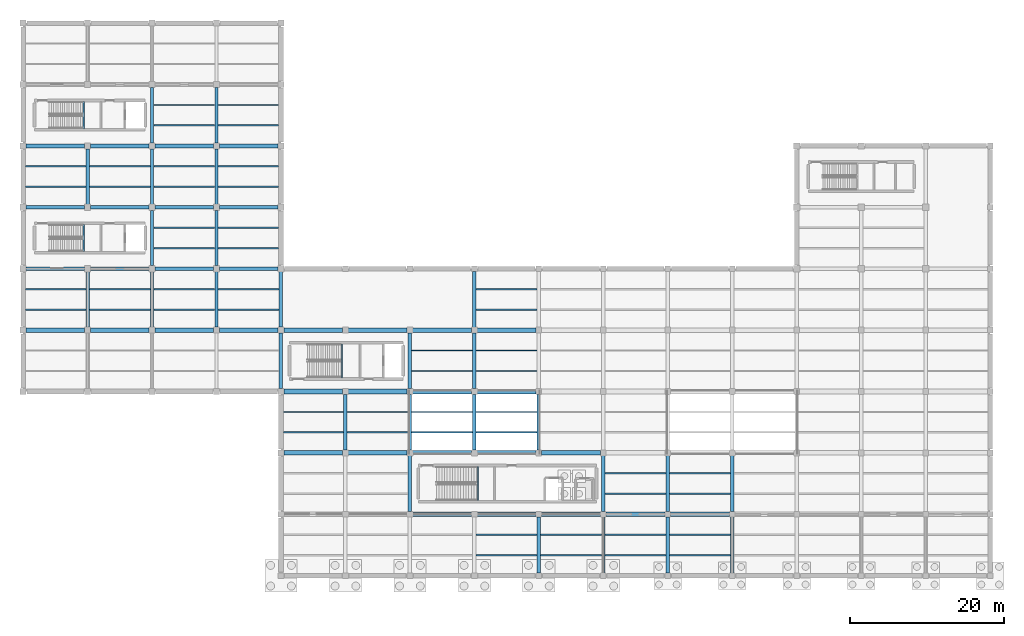
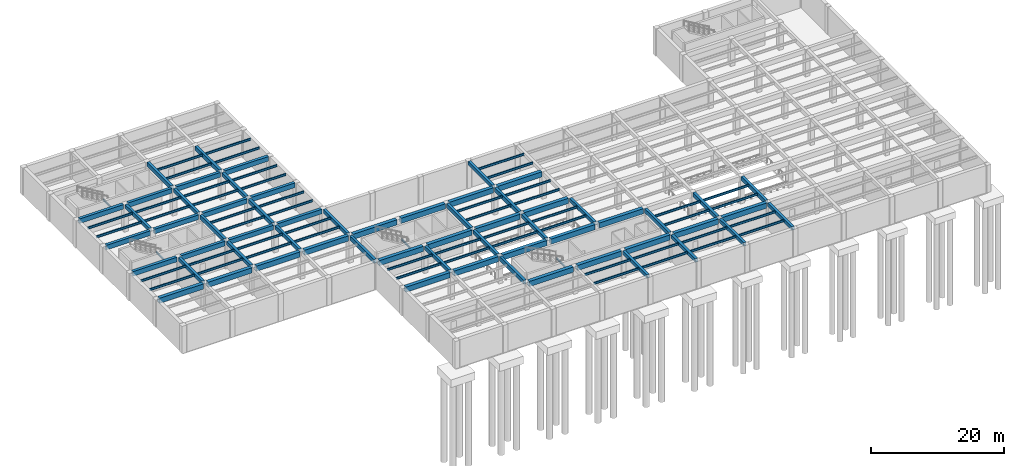
# One storey, part 2 of 16: 115 beams.
"""IFC4 building model written with IfcOpenShell, lengths in metres."""

from ifc_helpers import new_model, si_unit, direction, frame, origin, origin_2d, place, context, subcontext, project, spatial, rectangle, i_section, extrude, material, material_profile, profile_set, type_object, element, save


model = new_model("IFC4")

# Units and contexts
model_context = context("Model", 3, precision=1e-05, world=origin(), true_north=direction((0.0, 1.0)))
body_context = subcontext(model_context, "Body", "Model", "MODEL_VIEW")
ifc_project = project(units=[si_unit("LENGTHUNIT", "METRE"), si_unit("AREAUNIT", "SQUARE_METRE"), si_unit("VOLUMEUNIT", "CUBIC_METRE"), si_unit("PLANEANGLEUNIT", "RADIAN"), si_unit("MASSUNIT", "GRAM", prefix="KILO")], contexts=[model_context])

# Site, building, storey
site_placement = place(None, origin())
site = spatial("IfcSite", under=ifc_project, at=site_placement, CompositionType="ELEMENT")
building_placement = place(site_placement, origin())
building = spatial("IfcBuilding", under=site, at=building_placement, Name="Kranzveld Transit Interchange", CompositionType="ELEMENT")
storey_placement = place(building_placement, frame((0.0, 0.0, -5.43994140625)))
storey = spatial("IfcBuildingStorey", under=building, at=storey_placement, Name="B1", CompositionType="ELEMENT", Elevation=-5.43994140625)

# Beams
ifc_material_1 = material(Name="Concrete C35/45", Category="concrete")
ifc_material_profile_1 = material_profile(ifc_material_1, rectangle(XDim=0.449951171875, YDim=0.64990234375, at=origin_2d()), Name="RC 450x650")
ifc_profile_set_1 = profile_set([ifc_material_profile_1], Name="Concrete C35/45")
beam_type_1 = type_object("IfcBeamType", Name="Beam RC 450x650 C35/45", PredefinedType="BEAM", material=ifc_profile_set_1)
for number, where, z_axis, x_axis, name in (
    (1, (8.39990234375, 56.389892578125, 4.69482421875), (0.0, 1.0, 0.0), (-1.0, 0.0, 0.0), "B1 Girder 02/H-J"),
    (2, (8.39990234375, 72.389892578125, 4.69482421875), (0.0, 1.0, 0.0), (-1.0, 0.0, 0.0), "B1 Girder 02/K-L"),
    (3, (16.800048828125, 56.389892578125, 4.69482421875), (0.0, 1.0, 0.0), (-1.0, 0.0, 0.0), "B1 Girder 03/H-J"),
    (4, (16.800048828125, 72.389892578125, 4.69482421875), (0.0, 1.0, 0.0), (-1.0, 0.0, 0.0), "B1 Girder 03/K-L"),
    (5, (25.199951171875, 56.389892578125, 4.69482421875), (0.0, 1.0, 0.0), (-1.0, 0.0, 0.0), "B1 Girder 04/H-J"),
    (6, (25.199951171875, 72.389892578125, 4.69482421875), (0.0, 1.0, 0.0), (-1.0, 0.0, 0.0), "B1 Girder 04/K-L"),
    (7, (33.60009765625, 56.389892578125, 4.69482421875), (0.0, 1.0, 0.0), (-1.0, 0.0, 0.0), "B1 Girder 05/H-J"),
):
    element("IfcBeam", number, at=place(storey_placement, frame(where, z_axis=z_axis, x_axis=x_axis)), inside=storey, type_object=beam_type_1, Name=name, PredefinedType="BEAM", context=body_context, shape_type="SweptSolid", body=[
        extrude(rectangle(XDim=0.449951171875, YDim=0.64990234375, at=origin_2d()), origin(), (0.0, 0.0, 1.0), 7.22021484375),
    ])
for number, where, z_axis, x_axis, name in (
    (8, (42.0, 40.364990234375, 4.69482421875), (0.0, 1.0, 0.0), (-1.0, 0.0, 0.0), "B1 Girder 06/F-G"),
    (9, (50.39990234375, 40.364990234375, 4.69482421875), (0.0, 1.0, 0.0), (-1.0, 0.0, 0.0), "B1 Girder 07/F-G"),
    (10, (58.800048828125, 40.364990234375, 4.69482421875), (0.0, 1.0, 0.0), (-1.0, 0.0, 0.0), "B1 Girder 08/F-G"),
    (11, (58.800048828125, 56.364990234375, 4.69482421875), (0.0, 1.0, 0.0), (-1.0, 0.0, 0.0), "B1 Girder 08/H-J"),
    (12, (67.199951171875, 24.364990234375, 4.69482421875), (0.0, 1.0, 0.0), (-1.0, 0.0, 0.0), "B1 Girder 09/D-E"),
    (13, (67.199951171875, 40.364990234375, 4.69482421875), (0.0, 1.0, 0.0), (-1.0, 0.0, 0.0), "B1 Girder 09/F-G"),
    (14, (75.60009765625, 24.364990234375, 4.69482421875), (0.0, 1.0, 0.0), (-1.0, 0.0, 0.0), "B1 Girder 10/D-E"),
    (15, (84.0, 24.364990234375, 4.69482421875), (0.0, 1.0, 0.0), (-1.0, 0.0, 0.0), "B1 Girder 11/D-E"),
    (16, (92.39990234375, 24.364990234375, 4.69482421875), (0.0, 1.0, 0.0), (-1.0, 0.0, 0.0), "B1 Girder 12/D-E"),
):
    element("IfcBeam", number, at=place(storey_placement, frame(where, z_axis=z_axis, x_axis=x_axis)), inside=storey, type_object=beam_type_1, Name=name, PredefinedType="BEAM", context=body_context, shape_type="SweptSolid", body=[
        extrude(rectangle(XDim=0.449951171875, YDim=0.64990234375, at=origin_2d()), origin(), (0.0, 0.0, 1.0), 7.27001953125),
    ])
ifc_material_2 = material(Name="Concrete C35/45", Category="concrete")
ifc_material_profile_2 = material_profile(ifc_material_2, rectangle(XDim=0.449951171875, YDim=0.75, at=origin_2d()), Name="RC 450x750")
ifc_profile_set_2 = profile_set([ifc_material_profile_2], Name="Concrete C35/45")
beam_type_2 = type_object("IfcBeamType", Name="Beam RC 450x750 C35/45", PredefinedType="BEAM", material=ifc_profile_set_2)
for number, where, z_axis, x_axis, name in (
    (17, (16.800048828125, 64.389892578125, 4.64501953125), (0.0, 1.0, 0.0), (-1.0, 0.0, 0.0), "B1 Girder 03/J-K"),
    (18, (16.800048828125, 80.389892578125, 4.64501953125), (0.0, 1.0, 0.0), (-1.0, 0.0, 0.0), "B1 Girder 03/L-M"),
    (19, (25.199951171875, 64.389892578125, 4.64501953125), (0.0, 1.0, 0.0), (-1.0, 0.0, 0.0), "B1 Girder 04/J-K"),
    (20, (25.199951171875, 80.389892578125, 4.64501953125), (0.0, 1.0, 0.0), (-1.0, 0.0, 0.0), "B1 Girder 04/L-M"),
    (21, (33.60009765625, 48.389892578125, 4.64501953125), (0.0, 1.0, 0.0), (-1.0, 0.0, 0.0), "B1 Girder 05/G-H"),
):
    element("IfcBeam", number, at=place(storey_placement, frame(where, z_axis=z_axis, x_axis=x_axis)), inside=storey, type_object=beam_type_2, Name=name, PredefinedType="BEAM", context=body_context, shape_type="SweptSolid", body=[
        extrude(rectangle(XDim=0.449951171875, YDim=0.75, at=origin_2d()), origin(), (0.0, 0.0, 1.0), 7.22021484375),
    ])
for number, where, z_axis, x_axis, name in (
    (22, (50.39990234375, 32.364990234375, 4.64501953125), (0.0, 1.0, 0.0), (-1.0, 0.0, 0.0), "B1 Girder 07/E-F"),
    (23, (50.39990234375, 48.364990234375, 4.64501953125), (0.0, 1.0, 0.0), (-1.0, 0.0, 0.0), "B1 Girder 07/G-H"),
    (24, (58.800048828125, 48.364990234375, 4.64501953125), (0.0, 1.0, 0.0), (-1.0, 0.0, 0.0), "B1 Girder 08/G-H"),
    (25, (75.60009765625, 32.364990234375, 4.64501953125), (0.0, 1.0, 0.0), (-1.0, 0.0, 0.0), "B1 Girder 10/E-F"),
    (26, (84.0, 32.364990234375, 4.64501953125), (0.0, 1.0, 0.0), (-1.0, 0.0, 0.0), "B1 Girder 11/E-F"),
    (27, (92.39990234375, 32.364990234375, 4.64501953125), (0.0, 1.0, 0.0), (-1.0, 0.0, 0.0), "B1 Girder 12/E-F"),
):
    element("IfcBeam", number, at=place(storey_placement, frame(where, z_axis=z_axis, x_axis=x_axis)), inside=storey, type_object=beam_type_2, Name=name, PredefinedType="BEAM", context=body_context, shape_type="SweptSolid", body=[
        extrude(rectangle(XDim=0.449951171875, YDim=0.75, at=origin_2d()), origin(), (0.0, 0.0, 1.0), 7.27001953125),
    ])
ifc_material_3 = material(Name="Steel S355JR", Category="steel")
ifc_material_profile_3 = material_profile(ifc_material_3, i_section(OverallWidth=0.177978515625, OverallDepth=0.406494140625, WebThickness=0.0078125, FlangeThickness=0.0126953125, FilletRadius=0.01025390625, at=origin_2d()), Name="UB 406x178x60")
ifc_profile_set_3 = profile_set([ifc_material_profile_3], Name="Steel S355JR")
beam_type_3 = type_object("IfcBeamType", Name="Floor Joist UB 406x178x60 S355JR", PredefinedType="JOIST", material=ifc_profile_set_3)
for number, where, z_axis, x_axis, name in (
    (28, (0.302001953125, 58.666748046875, 4.816650390625), (1.0, 0.0, 0.0), (0.0, 1.0, 0.0), "B1 Secondary Joist 01-02/H.1"),
    (29, (0.302001953125, 61.333251953125, 4.816650390625), (1.0, 0.0, 0.0), (0.0, 1.0, 0.0), "B1 Secondary Joist 01-02/H.2"),
    (30, (0.302001953125, 74.666748046875, 4.816650390625), (1.0, 0.0, 0.0), (0.0, 1.0, 0.0), "B1 Secondary Joist 01-02/K.1"),
    (31, (0.302001953125, 77.333251953125, 4.816650390625), (1.0, 0.0, 0.0), (0.0, 1.0, 0.0), "B1 Secondary Joist 01-02/K.2"),
):
    element("IfcBeam", number, at=place(storey_placement, frame(where, z_axis=z_axis, x_axis=x_axis)), inside=storey, type_object=beam_type_3, Name=name, PredefinedType="JOIST", context=body_context, shape_type="SweptSolid", body=[
        extrude(i_section(OverallWidth=0.177978515625, OverallDepth=0.406494140625, WebThickness=0.0078125, FlangeThickness=0.0126953125, FilletRadius=0.01025390625, at=origin_2d()), origin(), (0.0, 0.0, 1.0), 7.87109375),
    ])
for number, where, z_axis, x_axis, name in (
    (32, (8.626953125, 58.666748046875, 4.816650390625), (1.0, 0.0, 0.0), (0.0, 1.0, 0.0), "B1 Secondary Joist 02-03/H.1"),
    (33, (8.626953125, 61.333251953125, 4.816650390625), (1.0, 0.0, 0.0), (0.0, 1.0, 0.0), "B1 Secondary Joist 02-03/H.2"),
    (34, (8.626953125, 74.666748046875, 4.816650390625), (1.0, 0.0, 0.0), (0.0, 1.0, 0.0), "B1 Secondary Joist 02-03/K.1"),
    (35, (8.626953125, 77.333251953125, 4.816650390625), (1.0, 0.0, 0.0), (0.0, 1.0, 0.0), "B1 Secondary Joist 02-03/K.2"),
):
    element("IfcBeam", number, at=place(storey_placement, frame(where, z_axis=z_axis, x_axis=x_axis)), inside=storey, type_object=beam_type_3, Name=name, PredefinedType="JOIST", context=body_context, shape_type="SweptSolid", body=[
        extrude(i_section(OverallWidth=0.177978515625, OverallDepth=0.406494140625, WebThickness=0.0078125, FlangeThickness=0.0126953125, FilletRadius=0.01025390625, at=origin_2d()), origin(), (0.0, 0.0, 1.0), 7.946044921875),
    ])
for number, where, z_axis, x_axis, name in (
    (36, (17.027099609375, 58.666748046875, 4.816650390625), (1.0, 0.0, 0.0), (0.0, 1.0, 0.0), "B1 Secondary Joist 03-04/H.1"),
    (37, (17.027099609375, 61.333251953125, 4.816650390625), (1.0, 0.0, 0.0), (0.0, 1.0, 0.0), "B1 Secondary Joist 03-04/H.2"),
    (38, (17.027099609375, 66.666748046875, 4.816650390625), (1.0, 0.0, 0.0), (0.0, 1.0, 0.0), "B1 Secondary Joist 03-04/J.1"),
    (39, (17.027099609375, 69.333251953125, 4.816650390625), (1.0, 0.0, 0.0), (0.0, 1.0, 0.0), "B1 Secondary Joist 03-04/J.2"),
    (40, (17.027099609375, 74.666748046875, 4.816650390625), (1.0, 0.0, 0.0), (0.0, 1.0, 0.0), "B1 Secondary Joist 03-04/K.1"),
    (41, (17.027099609375, 77.333251953125, 4.816650390625), (1.0, 0.0, 0.0), (0.0, 1.0, 0.0), "B1 Secondary Joist 03-04/K.2"),
    (42, (17.027099609375, 82.666748046875, 4.816650390625), (1.0, 0.0, 0.0), (0.0, 1.0, 0.0), "B1 Secondary Joist 03-04/L.1"),
    (43, (17.027099609375, 85.333251953125, 4.816650390625), (1.0, 0.0, 0.0), (0.0, 1.0, 0.0), "B1 Secondary Joist 03-04/L.2"),
):
    element("IfcBeam", number, at=place(storey_placement, frame(where, z_axis=z_axis, x_axis=x_axis)), inside=storey, type_object=beam_type_3, Name=name, PredefinedType="JOIST", context=body_context, shape_type="SweptSolid", body=[
        extrude(i_section(OverallWidth=0.177978515625, OverallDepth=0.406494140625, WebThickness=0.0078125, FlangeThickness=0.0126953125, FilletRadius=0.01025390625, at=origin_2d()), origin(), (0.0, 0.0, 1.0), 7.94580078125),
    ])
for number, where, z_axis, x_axis, name in (
    (44, (25.427001953125, 58.666748046875, 4.816650390625), (1.0, 0.0, 0.0), (0.0, 1.0, 0.0), "B1 Secondary Joist 04-05/H.1"),
    (45, (25.427001953125, 61.333251953125, 4.816650390625), (1.0, 0.0, 0.0), (0.0, 1.0, 0.0), "B1 Secondary Joist 04-05/H.2"),
):
    element("IfcBeam", number, at=place(storey_placement, frame(where, z_axis=z_axis, x_axis=x_axis)), inside=storey, type_object=beam_type_3, Name=name, PredefinedType="JOIST", context=body_context, shape_type="SweptSolid", body=[
        extrude(i_section(OverallWidth=0.177978515625, OverallDepth=0.406494140625, WebThickness=0.0078125, FlangeThickness=0.0126953125, FilletRadius=0.01025390625, at=origin_2d()), origin(), (0.0, 0.0, 1.0), 7.946044921875),
    ])
for number, where, z_axis, x_axis, name in (
    (46, (25.427001953125, 66.666748046875, 4.816650390625), (1.0, 0.0, 0.0), (0.0, 1.0, 0.0), "B1 Secondary Joist 04-05/J.1"),
    (47, (25.427001953125, 69.333251953125, 4.816650390625), (1.0, 0.0, 0.0), (0.0, 1.0, 0.0), "B1 Secondary Joist 04-05/J.2"),
    (48, (25.427001953125, 74.666748046875, 4.816650390625), (1.0, 0.0, 0.0), (0.0, 1.0, 0.0), "B1 Secondary Joist 04-05/K.1"),
    (49, (25.427001953125, 77.333251953125, 4.816650390625), (1.0, 0.0, 0.0), (0.0, 1.0, 0.0), "B1 Secondary Joist 04-05/K.2"),
    (50, (25.427001953125, 82.666748046875, 4.816650390625), (1.0, 0.0, 0.0), (0.0, 1.0, 0.0), "B1 Secondary Joist 04-05/L.1"),
    (51, (25.427001953125, 85.333251953125, 4.816650390625), (1.0, 0.0, 0.0), (0.0, 1.0, 0.0), "B1 Secondary Joist 04-05/L.2"),
):
    element("IfcBeam", number, at=place(storey_placement, frame(where, z_axis=z_axis, x_axis=x_axis)), inside=storey, type_object=beam_type_3, Name=name, PredefinedType="JOIST", context=body_context, shape_type="SweptSolid", body=[
        extrude(i_section(OverallWidth=0.177978515625, OverallDepth=0.406494140625, WebThickness=0.0078125, FlangeThickness=0.0126953125, FilletRadius=0.01025390625, at=origin_2d()), origin(), (0.0, 0.0, 1.0), 7.87109375),
    ])
for number, where, z_axis, x_axis, name in (
    (52, (33.902099609375, 42.666748046875, 4.816650390625), (1.0, 0.0, 0.0), (0.0, 1.0, 0.0), "B1 Secondary Joist 05-06/F.1"),
    (53, (33.902099609375, 45.333251953125, 4.816650390625), (1.0, 0.0, 0.0), (0.0, 1.0, 0.0), "B1 Secondary Joist 05-06/F.2"),
):
    element("IfcBeam", number, at=place(storey_placement, frame(where, z_axis=z_axis, x_axis=x_axis)), inside=storey, type_object=beam_type_3, Name=name, PredefinedType="JOIST", context=body_context, shape_type="SweptSolid", body=[
        extrude(i_section(OverallWidth=0.177978515625, OverallDepth=0.406494140625, WebThickness=0.0078125, FlangeThickness=0.0126953125, FilletRadius=0.01025390625, at=origin_2d()), origin(), (0.0, 0.0, 1.0), 7.870849609375),
    ])
for number, where, z_axis, x_axis, name in (
    (54, (42.22705078125, 42.666748046875, 4.816650390625), (1.0, 0.0, 0.0), (0.0, 1.0, 0.0), "B1 Secondary Joist 06-07/F.1"),
    (55, (42.22705078125, 45.333251953125, 4.816650390625), (1.0, 0.0, 0.0), (0.0, 1.0, 0.0), "B1 Secondary Joist 06-07/F.2"),
    (56, (50.626953125, 42.666748046875, 4.816650390625), (1.0, 0.0, 0.0), (0.0, 1.0, 0.0), "B1 Secondary Joist 07-08/F.1"),
    (57, (50.626953125, 45.333251953125, 4.816650390625), (1.0, 0.0, 0.0), (0.0, 1.0, 0.0), "B1 Secondary Joist 07-08/F.2"),
    (58, (50.626953125, 50.666748046875, 4.816650390625), (1.0, 0.0, 0.0), (0.0, 1.0, 0.0), "B1 Secondary Joist 07-08/G.1"),
    (59, (50.626953125, 53.333251953125, 4.816650390625), (1.0, 0.0, 0.0), (0.0, 1.0, 0.0), "B1 Secondary Joist 07-08/G.2"),
):
    element("IfcBeam", number, at=place(storey_placement, frame(where, z_axis=z_axis, x_axis=x_axis)), inside=storey, type_object=beam_type_3, Name=name, PredefinedType="JOIST", context=body_context, shape_type="SweptSolid", body=[
        extrude(i_section(OverallWidth=0.177978515625, OverallDepth=0.406494140625, WebThickness=0.0078125, FlangeThickness=0.0126953125, FilletRadius=0.01025390625, at=origin_2d()), origin(), (0.0, 0.0, 1.0), 7.946044921875),
    ])
for number, where, z_axis, x_axis, name in (
    (60, (59.027099609375, 26.666748046875, 4.816650390625), (1.0, 0.0, 0.0), (0.0, 1.0, 0.0), "B1 Secondary Joist 08-09/D.1"),
    (61, (59.027099609375, 29.333251953125, 4.816650390625), (1.0, 0.0, 0.0), (0.0, 1.0, 0.0), "B1 Secondary Joist 08-09/D.2"),
    (62, (59.027099609375, 42.666748046875, 4.816650390625), (1.0, 0.0, 0.0), (0.0, 1.0, 0.0), "B1 Secondary Joist 08-09/F.1"),
    (63, (59.027099609375, 45.333251953125, 4.816650390625), (1.0, 0.0, 0.0), (0.0, 1.0, 0.0), "B1 Secondary Joist 08-09/F.2"),
    (64, (59.027099609375, 50.666748046875, 4.816650390625), (1.0, 0.0, 0.0), (0.0, 1.0, 0.0), "B1 Secondary Joist 08-09/G.1"),
    (65, (59.027099609375, 53.333251953125, 4.816650390625), (1.0, 0.0, 0.0), (0.0, 1.0, 0.0), "B1 Secondary Joist 08-09/G.2"),
    (66, (59.027099609375, 58.666748046875, 4.816650390625), (1.0, 0.0, 0.0), (0.0, 1.0, 0.0), "B1 Secondary Joist 08-09/H.1"),
    (67, (59.027099609375, 61.333251953125, 4.816650390625), (1.0, 0.0, 0.0), (0.0, 1.0, 0.0), "B1 Secondary Joist 08-09/H.2"),
):
    element("IfcBeam", number, at=place(storey_placement, frame(where, z_axis=z_axis, x_axis=x_axis)), inside=storey, type_object=beam_type_3, Name=name, PredefinedType="JOIST", context=body_context, shape_type="SweptSolid", body=[
        extrude(i_section(OverallWidth=0.177978515625, OverallDepth=0.406494140625, WebThickness=0.0078125, FlangeThickness=0.0126953125, FilletRadius=0.01025390625, at=origin_2d()), origin(), (0.0, 0.0, 1.0), 7.94580078125),
    ])
for number, where, z_axis, x_axis, name in (
    (68, (67.427001953125, 26.666748046875, 4.816650390625), (1.0, 0.0, 0.0), (0.0, 1.0, 0.0), "B1 Secondary Joist 09-10/D.1"),
    (69, (67.427001953125, 29.333251953125, 4.816650390625), (1.0, 0.0, 0.0), (0.0, 1.0, 0.0), "B1 Secondary Joist 09-10/D.2"),
    (70, (75.826904296875, 26.666748046875, 4.816650390625), (1.0, 0.0, 0.0), (0.0, 1.0, 0.0), "B1 Secondary Joist 10-11/D.1"),
    (71, (75.826904296875, 29.333251953125, 4.816650390625), (1.0, 0.0, 0.0), (0.0, 1.0, 0.0), "B1 Secondary Joist 10-11/D.2"),
    (72, (75.826904296875, 34.666748046875, 4.816650390625), (1.0, 0.0, 0.0), (0.0, 1.0, 0.0), "B1 Secondary Joist 10-11/E.1"),
    (73, (75.826904296875, 37.333251953125, 4.816650390625), (1.0, 0.0, 0.0), (0.0, 1.0, 0.0), "B1 Secondary Joist 10-11/E.2"),
    (74, (84.22705078125, 26.666748046875, 4.816650390625), (1.0, 0.0, 0.0), (0.0, 1.0, 0.0), "B1 Secondary Joist 11-12/D.1"),
    (75, (84.22705078125, 29.333251953125, 4.816650390625), (1.0, 0.0, 0.0), (0.0, 1.0, 0.0), "B1 Secondary Joist 11-12/D.2"),
    (76, (84.22705078125, 34.666748046875, 4.816650390625), (1.0, 0.0, 0.0), (0.0, 1.0, 0.0), "B1 Secondary Joist 11-12/E.1"),
    (77, (84.22705078125, 37.333251953125, 4.816650390625), (1.0, 0.0, 0.0), (0.0, 1.0, 0.0), "B1 Secondary Joist 11-12/E.2"),
):
    element("IfcBeam", number, at=place(storey_placement, frame(where, z_axis=z_axis, x_axis=x_axis)), inside=storey, type_object=beam_type_3, Name=name, PredefinedType="JOIST", context=body_context, shape_type="SweptSolid", body=[
        extrude(i_section(OverallWidth=0.177978515625, OverallDepth=0.406494140625, WebThickness=0.0078125, FlangeThickness=0.0126953125, FilletRadius=0.01025390625, at=origin_2d()), origin(), (0.0, 0.0, 1.0), 7.946044921875),
    ])
ifc_material_4 = material(Name="Concrete C40/50", Category="concrete")
ifc_material_profile_4 = material_profile(ifc_material_4, rectangle(XDim=0.5, YDim=0.85009765625, at=origin_2d()), Name="RC 500x850")
ifc_profile_set_4 = profile_set([ifc_material_profile_4], Name="Concrete C40/50")
beam_type_4 = type_object("IfcBeamType", Name="Girder RC 500x850 C40/50", PredefinedType="BEAM", material=ifc_profile_set_4)
beam_1_placement = place(storey_placement, frame((0.389892578125, 64.0, 4.594970703125), z_axis=(1.0, 0.0, 0.0), x_axis=(0.0, 1.0, 0.0)))
element("IfcBeam", 78, at=beam_1_placement, inside=storey, type_object=beam_type_4, Name="B1 Girder 01-02/J", PredefinedType="BEAM", context=body_context, shape_type="SweptSolid", body=[
    extrude(rectangle(XDim=0.5, YDim=0.85009765625, at=origin_2d()), origin(), (0.0, 0.0, 1.0), 7.6201171875),
])
beam_2_placement = place(storey_placement, frame((8.7900390625, 64.0, 4.594970703125), z_axis=(1.0, 0.0, 0.0), x_axis=(0.0, 1.0, 0.0)))
element("IfcBeam", 79, at=beam_2_placement, inside=storey, type_object=beam_type_4, Name="B1 Girder 02-03/J", PredefinedType="BEAM", context=body_context, shape_type="SweptSolid", body=[
    extrude(rectangle(XDim=0.5, YDim=0.85009765625, at=origin_2d()), origin(), (0.0, 0.0, 1.0), 7.619873046875),
])
beam_3_placement = place(storey_placement, frame((17.18994140625, 64.0, 4.594970703125), z_axis=(1.0, 0.0, 0.0), x_axis=(0.0, 1.0, 0.0)))
element("IfcBeam", 80, at=beam_3_placement, inside=storey, type_object=beam_type_4, Name="B1 Girder 03-04/J", PredefinedType="BEAM", context=body_context, shape_type="SweptSolid", body=[
    extrude(rectangle(XDim=0.5, YDim=0.85009765625, at=origin_2d()), origin(), (0.0, 0.0, 1.0), 7.6201171875),
])
beam_4_placement = place(storey_placement, frame((25.590087890625, 64.0, 4.594970703125), z_axis=(1.0, 0.0, 0.0), x_axis=(0.0, 1.0, 0.0)))
element("IfcBeam", 81, at=beam_4_placement, inside=storey, type_object=beam_type_4, Name="B1 Girder 04-05/J", PredefinedType="BEAM", context=body_context, shape_type="SweptSolid", body=[
    extrude(rectangle(XDim=0.5, YDim=0.85009765625, at=origin_2d()), origin(), (0.0, 0.0, 1.0), 7.619873046875),
])
beam_5_placement = place(storey_placement, frame((0.389892578125, 72.0, 4.594970703125), z_axis=(1.0, 0.0, 0.0), x_axis=(0.0, 1.0, 0.0)))
element("IfcBeam", 82, at=beam_5_placement, inside=storey, type_object=beam_type_4, Name="B1 Girder 01-02/K", PredefinedType="BEAM", context=body_context, shape_type="SweptSolid", body=[
    extrude(rectangle(XDim=0.5, YDim=0.85009765625, at=origin_2d()), origin(), (0.0, 0.0, 1.0), 7.6201171875),
])
beam_6_placement = place(storey_placement, frame((8.7900390625, 72.0, 4.594970703125), z_axis=(1.0, 0.0, 0.0), x_axis=(0.0, 1.0, 0.0)))
element("IfcBeam", 83, at=beam_6_placement, inside=storey, type_object=beam_type_4, Name="B1 Girder 02-03/K", PredefinedType="BEAM", context=body_context, shape_type="SweptSolid", body=[
    extrude(rectangle(XDim=0.5, YDim=0.85009765625, at=origin_2d()), origin(), (0.0, 0.0, 1.0), 7.619873046875),
])
beam_7_placement = place(storey_placement, frame((17.18994140625, 72.0, 4.594970703125), z_axis=(1.0, 0.0, 0.0), x_axis=(0.0, 1.0, 0.0)))
element("IfcBeam", 84, at=beam_7_placement, inside=storey, type_object=beam_type_4, Name="B1 Girder 03-04/K", PredefinedType="BEAM", context=body_context, shape_type="SweptSolid", body=[
    extrude(rectangle(XDim=0.5, YDim=0.85009765625, at=origin_2d()), origin(), (0.0, 0.0, 1.0), 7.6201171875),
])
beam_8_placement = place(storey_placement, frame((25.590087890625, 72.0, 4.594970703125), z_axis=(1.0, 0.0, 0.0), x_axis=(0.0, 1.0, 0.0)))
element("IfcBeam", 85, at=beam_8_placement, inside=storey, type_object=beam_type_4, Name="B1 Girder 04-05/K", PredefinedType="BEAM", context=body_context, shape_type="SweptSolid", body=[
    extrude(rectangle(XDim=0.5, YDim=0.85009765625, at=origin_2d()), origin(), (0.0, 0.0, 1.0), 7.619873046875),
])
beam_9_placement = place(storey_placement, frame((0.389892578125, 80.0, 4.594970703125), z_axis=(1.0, 0.0, 0.0), x_axis=(0.0, 1.0, 0.0)))
element("IfcBeam", 86, at=beam_9_placement, inside=storey, type_object=beam_type_4, Name="B1 Girder 01-02/L", PredefinedType="BEAM", context=body_context, shape_type="SweptSolid", body=[
    extrude(rectangle(XDim=0.5, YDim=0.85009765625, at=origin_2d()), origin(), (0.0, 0.0, 1.0), 7.6201171875),
])
beam_10_placement = place(storey_placement, frame((8.7900390625, 80.0, 4.594970703125), z_axis=(1.0, 0.0, 0.0), x_axis=(0.0, 1.0, 0.0)))
element("IfcBeam", 87, at=beam_10_placement, inside=storey, type_object=beam_type_4, Name="B1 Girder 02-03/L", PredefinedType="BEAM", context=body_context, shape_type="SweptSolid", body=[
    extrude(rectangle(XDim=0.5, YDim=0.85009765625, at=origin_2d()), origin(), (0.0, 0.0, 1.0), 7.619873046875),
])
beam_11_placement = place(storey_placement, frame((17.18994140625, 80.0, 4.594970703125), z_axis=(1.0, 0.0, 0.0), x_axis=(0.0, 1.0, 0.0)))
element("IfcBeam", 88, at=beam_11_placement, inside=storey, type_object=beam_type_4, Name="B1 Girder 03-04/L", PredefinedType="BEAM", context=body_context, shape_type="SweptSolid", body=[
    extrude(rectangle(XDim=0.5, YDim=0.85009765625, at=origin_2d()), origin(), (0.0, 0.0, 1.0), 7.6201171875),
])
beam_12_placement = place(storey_placement, frame((25.590087890625, 80.0, 4.594970703125), z_axis=(1.0, 0.0, 0.0), x_axis=(0.0, 1.0, 0.0)))
element("IfcBeam", 89, at=beam_12_placement, inside=storey, type_object=beam_type_4, Name="B1 Girder 04-05/L", PredefinedType="BEAM", context=body_context, shape_type="SweptSolid", body=[
    extrude(rectangle(XDim=0.5, YDim=0.85009765625, at=origin_2d()), origin(), (0.0, 0.0, 1.0), 7.619873046875),
])
ifc_material_5 = material(Name="Concrete C40/50", Category="concrete")
ifc_material_profile_5 = material_profile(ifc_material_5, rectangle(XDim=0.60009765625, YDim=0.949951171875, at=origin_2d()), Name="RC 600x950")
ifc_profile_set_5 = profile_set([ifc_material_profile_5], Name="Concrete C40/50")
beam_type_5 = type_object("IfcBeamType", Name="Girder RC 600x950 C40/50", PredefinedType="BEAM", material=ifc_profile_set_5)
beam_13_placement = place(storey_placement, frame((50.764892578125, 32.0, 4.544921875), z_axis=(1.0, 0.0, 0.0), x_axis=(0.0, 1.0, 0.0)))
element("IfcBeam", 90, at=beam_13_placement, inside=storey, type_object=beam_type_5, Name="B1 Girder 07-08/E", PredefinedType="BEAM", context=body_context, shape_type="SweptSolid", body=[
    extrude(rectangle(XDim=0.60009765625, YDim=0.949951171875, at=origin_2d()), origin(), (0.0, 0.0, 1.0), 7.670166015625),
])
beam_14_placement = place(storey_placement, frame((59.1650390625, 32.0, 4.544921875), z_axis=(1.0, 0.0, 0.0), x_axis=(0.0, 1.0, 0.0)))
element("IfcBeam", 91, at=beam_14_placement, inside=storey, type_object=beam_type_5, Name="B1 Girder 08-09/E", PredefinedType="BEAM", context=body_context, shape_type="SweptSolid", body=[
    extrude(rectangle(XDim=0.60009765625, YDim=0.949951171875, at=origin_2d()), origin(), (0.0, 0.0, 1.0), 7.669921875),
])
beam_15_placement = place(storey_placement, frame((67.56494140625, 32.0, 4.544921875), z_axis=(1.0, 0.0, 0.0), x_axis=(0.0, 1.0, 0.0)))
element("IfcBeam", 92, at=beam_15_placement, inside=storey, type_object=beam_type_5, Name="B1 Girder 09-10/E", PredefinedType="BEAM", context=body_context, shape_type="SweptSolid", body=[
    extrude(rectangle(XDim=0.60009765625, YDim=0.949951171875, at=origin_2d()), origin(), (0.0, 0.0, 1.0), 7.670166015625),
])
for number, where, z_axis, x_axis, name in (
    (93, (75.965087890625, 32.0, 4.544921875), (1.0, 0.0, 0.0), (0.0, 1.0, 0.0), "B1 Girder 10-11/E"),
    (94, (84.364990234375, 32.0, 4.544921875), (1.0, 0.0, 0.0), (0.0, 1.0, 0.0), "B1 Girder 11-12/E"),
    (95, (33.965087890625, 40.0, 4.544921875), (1.0, 0.0, 0.0), (0.0, 1.0, 0.0), "B1 Girder 05-06/F"),
    (96, (42.364990234375, 40.0, 4.544921875), (1.0, 0.0, 0.0), (0.0, 1.0, 0.0), "B1 Girder 06-07/F"),
):
    element("IfcBeam", number, at=place(storey_placement, frame(where, z_axis=z_axis, x_axis=x_axis)), inside=storey, type_object=beam_type_5, Name=name, PredefinedType="BEAM", context=body_context, shape_type="SweptSolid", body=[
        extrude(rectangle(XDim=0.60009765625, YDim=0.949951171875, at=origin_2d()), origin(), (0.0, 0.0, 1.0), 7.669921875),
    ])
beam_16_placement = place(storey_placement, frame((50.764892578125, 40.0, 4.544921875), z_axis=(1.0, 0.0, 0.0), x_axis=(0.0, 1.0, 0.0)))
element("IfcBeam", 97, at=beam_16_placement, inside=storey, type_object=beam_type_5, Name="B1 Girder 07-08/F", PredefinedType="BEAM", context=body_context, shape_type="SweptSolid", body=[
    extrude(rectangle(XDim=0.60009765625, YDim=0.949951171875, at=origin_2d()), origin(), (0.0, 0.0, 1.0), 7.670166015625),
])
beam_17_placement = place(storey_placement, frame((59.1650390625, 40.0, 4.544921875), z_axis=(1.0, 0.0, 0.0), x_axis=(0.0, 1.0, 0.0)))
element("IfcBeam", 98, at=beam_17_placement, inside=storey, type_object=beam_type_5, Name="B1 Girder 08-09/F", PredefinedType="BEAM", context=body_context, shape_type="SweptSolid", body=[
    extrude(rectangle(XDim=0.60009765625, YDim=0.949951171875, at=origin_2d()), origin(), (0.0, 0.0, 1.0), 7.669921875),
])
beam_18_placement = place(storey_placement, frame((67.56494140625, 40.0, 4.544921875), z_axis=(1.0, 0.0, 0.0), x_axis=(0.0, 1.0, 0.0)))
element("IfcBeam", 99, at=beam_18_placement, inside=storey, type_object=beam_type_5, Name="B1 Girder 09-10/F", PredefinedType="BEAM", context=body_context, shape_type="SweptSolid", body=[
    extrude(rectangle(XDim=0.60009765625, YDim=0.949951171875, at=origin_2d()), origin(), (0.0, 0.0, 1.0), 7.670166015625),
])
beam_19_placement = place(storey_placement, frame((33.989990234375, 48.0, 4.544921875), z_axis=(1.0, 0.0, 0.0), x_axis=(0.0, 1.0, 0.0)))
element("IfcBeam", 100, at=beam_19_placement, inside=storey, type_object=beam_type_5, Name="B1 Girder 05-06/G", PredefinedType="BEAM", context=body_context, shape_type="SweptSolid", body=[
    extrude(rectangle(XDim=0.60009765625, YDim=0.949951171875, at=origin_2d()), origin(), (0.0, 0.0, 1.0), 7.64501953125),
])
beam_20_placement = place(storey_placement, frame((42.364990234375, 48.0, 4.544921875), z_axis=(1.0, 0.0, 0.0), x_axis=(0.0, 1.0, 0.0)))
element("IfcBeam", 101, at=beam_20_placement, inside=storey, type_object=beam_type_5, Name="B1 Girder 06-07/G", PredefinedType="BEAM", context=body_context, shape_type="SweptSolid", body=[
    extrude(rectangle(XDim=0.60009765625, YDim=0.949951171875, at=origin_2d()), origin(), (0.0, 0.0, 1.0), 7.669921875),
])
beam_21_placement = place(storey_placement, frame((50.764892578125, 48.0, 4.544921875), z_axis=(1.0, 0.0, 0.0), x_axis=(0.0, 1.0, 0.0)))
element("IfcBeam", 102, at=beam_21_placement, inside=storey, type_object=beam_type_5, Name="B1 Girder 07-08/G", PredefinedType="BEAM", context=body_context, shape_type="SweptSolid", body=[
    extrude(rectangle(XDim=0.60009765625, YDim=0.949951171875, at=origin_2d()), origin(), (0.0, 0.0, 1.0), 7.670166015625),
])
beam_22_placement = place(storey_placement, frame((59.1650390625, 48.0, 4.544921875), z_axis=(1.0, 0.0, 0.0), x_axis=(0.0, 1.0, 0.0)))
element("IfcBeam", 103, at=beam_22_placement, inside=storey, type_object=beam_type_5, Name="B1 Girder 08-09/G", PredefinedType="BEAM", context=body_context, shape_type="SweptSolid", body=[
    extrude(rectangle(XDim=0.60009765625, YDim=0.949951171875, at=origin_2d()), origin(), (0.0, 0.0, 1.0), 7.669921875),
])
beam_23_placement = place(storey_placement, frame((0.389892578125, 56.0, 4.544921875), z_axis=(1.0, 0.0, 0.0), x_axis=(0.0, 1.0, 0.0)))
element("IfcBeam", 104, at=beam_23_placement, inside=storey, type_object=beam_type_5, Name="B1 Girder 01-02/H", PredefinedType="BEAM", context=body_context, shape_type="SweptSolid", body=[
    extrude(rectangle(XDim=0.60009765625, YDim=0.949951171875, at=origin_2d()), origin(), (0.0, 0.0, 1.0), 7.6201171875),
])
beam_24_placement = place(storey_placement, frame((8.7900390625, 56.0, 4.544921875), z_axis=(1.0, 0.0, 0.0), x_axis=(0.0, 1.0, 0.0)))
element("IfcBeam", 105, at=beam_24_placement, inside=storey, type_object=beam_type_5, Name="B1 Girder 02-03/H", PredefinedType="BEAM", context=body_context, shape_type="SweptSolid", body=[
    extrude(rectangle(XDim=0.60009765625, YDim=0.949951171875, at=origin_2d()), origin(), (0.0, 0.0, 1.0), 7.619873046875),
])
beam_25_placement = place(storey_placement, frame((17.18994140625, 56.0, 4.544921875), z_axis=(1.0, 0.0, 0.0), x_axis=(0.0, 1.0, 0.0)))
element("IfcBeam", 106, at=beam_25_placement, inside=storey, type_object=beam_type_5, Name="B1 Girder 03-04/H", PredefinedType="BEAM", context=body_context, shape_type="SweptSolid", body=[
    extrude(rectangle(XDim=0.60009765625, YDim=0.949951171875, at=origin_2d()), origin(), (0.0, 0.0, 1.0), 7.6201171875),
])
beam_26_placement = place(storey_placement, frame((25.590087890625, 56.0, 4.544921875), z_axis=(1.0, 0.0, 0.0), x_axis=(0.0, 1.0, 0.0)))
element("IfcBeam", 107, at=beam_26_placement, inside=storey, type_object=beam_type_5, Name="B1 Girder 04-05/H", PredefinedType="BEAM", context=body_context, shape_type="SweptSolid", body=[
    extrude(rectangle(XDim=0.60009765625, YDim=0.949951171875, at=origin_2d()), origin(), (0.0, 0.0, 1.0), 7.619873046875),
])
beam_27_placement = place(storey_placement, frame((33.989990234375, 56.0, 4.544921875), z_axis=(1.0, 0.0, 0.0), x_axis=(0.0, 1.0, 0.0)))
element("IfcBeam", 108, at=beam_27_placement, inside=storey, type_object=beam_type_5, Name="B1 Girder 05-06/H", PredefinedType="BEAM", context=body_context, shape_type="SweptSolid", body=[
    extrude(rectangle(XDim=0.60009765625, YDim=0.949951171875, at=origin_2d()), origin(), (0.0, 0.0, 1.0), 7.64501953125),
])
beam_28_placement = place(storey_placement, frame((42.364990234375, 56.0, 4.544921875), z_axis=(1.0, 0.0, 0.0), x_axis=(0.0, 1.0, 0.0)))
element("IfcBeam", 109, at=beam_28_placement, inside=storey, type_object=beam_type_5, Name="B1 Girder 06-07/H", PredefinedType="BEAM", context=body_context, shape_type="SweptSolid", body=[
    extrude(rectangle(XDim=0.60009765625, YDim=0.949951171875, at=origin_2d()), origin(), (0.0, 0.0, 1.0), 7.669921875),
])
beam_29_placement = place(storey_placement, frame((50.764892578125, 56.0, 4.544921875), z_axis=(1.0, 0.0, 0.0), x_axis=(0.0, 1.0, 0.0)))
element("IfcBeam", 110, at=beam_29_placement, inside=storey, type_object=beam_type_5, Name="B1 Girder 07-08/H", PredefinedType="BEAM", context=body_context, shape_type="SweptSolid", body=[
    extrude(rectangle(XDim=0.60009765625, YDim=0.949951171875, at=origin_2d()), origin(), (0.0, 0.0, 1.0), 7.670166015625),
])
beam_30_placement = place(storey_placement, frame((59.1650390625, 56.0, 4.544921875), z_axis=(1.0, 0.0, 0.0), x_axis=(0.0, 1.0, 0.0)))
element("IfcBeam", 111, at=beam_30_placement, inside=storey, type_object=beam_type_5, Name="B1 Girder 08-09/H", PredefinedType="BEAM", context=body_context, shape_type="SweptSolid", body=[
    extrude(rectangle(XDim=0.60009765625, YDim=0.949951171875, at=origin_2d()), origin(), (0.0, 0.0, 1.0), 7.669921875),
])
ifc_material_6 = material(Name="Steel S355JR", Category="steel")
ifc_material_profile_6 = material_profile(ifc_material_6, i_section(OverallWidth=0.165771484375, OverallDepth=0.306640625, WebThickness=0.006591796875, FlangeThickness=0.01171875, FilletRadius=0.0087890625, at=origin_2d()), Name="UB 305x165x46")
ifc_profile_set_6 = profile_set([ifc_material_profile_6], Name="Steel S355JR")
beam_type_6 = type_object("IfcBeamType", Name="Roof Joist UB 305x165x46 S355JR", PredefinedType="JOIST", material=ifc_profile_set_6)
for number, where, z_axis, x_axis, name in (
    (112, (7.909912109375, 66.22998046875, 2.36669921875), (0.0, 1.0, 0.0), (-1.0, 0.0, 0.0), "B1 ST-C1 Half-Landing Support Beam"),
    (113, (7.909912109375, 82.22998046875, 2.36669921875), (0.0, 1.0, 0.0), (-1.0, 0.0, 0.0), "B1 ST-C2 Half-Landing Support Beam"),
):
    element("IfcBeam", number, at=place(storey_placement, frame(where, z_axis=z_axis, x_axis=x_axis)), inside=storey, type_object=beam_type_6, Name=name, PredefinedType="BEAM", context=body_context, shape_type="SweptSolid", body=[
        extrude(i_section(OverallWidth=0.165771484375, OverallDepth=0.306640625, WebThickness=0.006591796875, FlangeThickness=0.01171875, FilletRadius=0.0087890625, at=origin_2d()), origin(), (0.0, 0.0, 1.0), 3.5400390625),
    ])
for number, where, z_axis, x_axis, name in (
    (114, (41.56005859375, 49.780029296875, 2.36669921875), (0.0, 1.0, 0.0), (-1.0, 0.0, 0.0), "B1 ST-M1 Half-Landing Support Beam"),
    (115, (59.260009765625, 33.780029296875, 2.36669921875), (0.0, 1.0, 0.0), (-1.0, 0.0, 0.0), "B1 ST-M2 Half-Landing Support Beam"),
):
    element("IfcBeam", number, at=place(storey_placement, frame(where, z_axis=z_axis, x_axis=x_axis)), inside=storey, type_object=beam_type_6, Name=name, PredefinedType="BEAM", context=body_context, shape_type="SweptSolid", body=[
        extrude(i_section(OverallWidth=0.165771484375, OverallDepth=0.306640625, WebThickness=0.006591796875, FlangeThickness=0.01171875, FilletRadius=0.0087890625, at=origin_2d()), origin(), (0.0, 0.0, 1.0), 4.43994140625),
    ])

save(model, "model.ifc")
